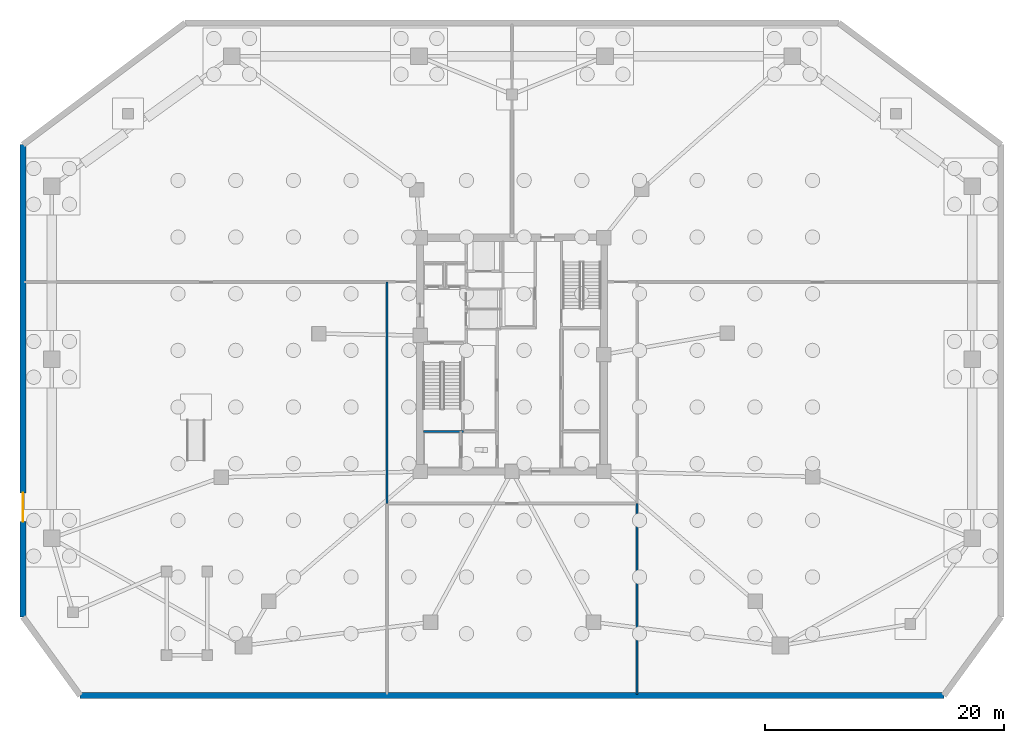
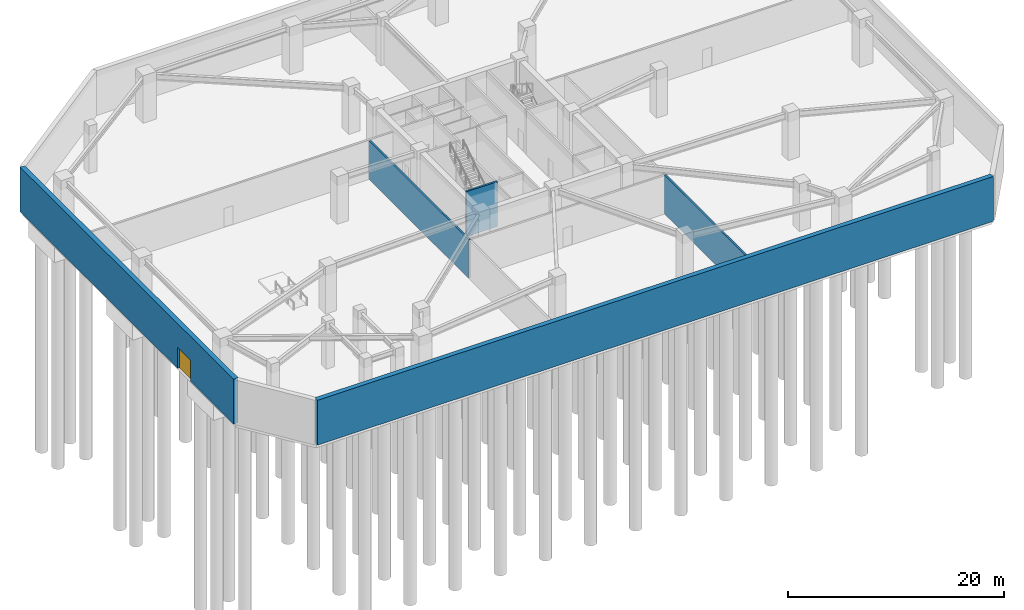
# One storey, part 3 of 12: 5 walls, 1 door, 1 opening.
"""IFC4 building model written with IfcOpenShell, lengths in metres."""

from ifc_helpers import new_model, si_unit, direction, frame, frame_2d, origin, place, context, subcontext, project, spatial, rectangle, extrude, material, layer, layer_set, type_object, element, fill, save


model = new_model("IFC4")

# Units and contexts
model_context = context("Model", 3, precision=1e-05, world=origin(), true_north=direction((0.0, 1.0)))
body_context = subcontext(model_context, "Body", "Model", "MODEL_VIEW")
ifc_project = project(units=[si_unit("LENGTHUNIT", "METRE"), si_unit("AREAUNIT", "SQUARE_METRE"), si_unit("VOLUMEUNIT", "CUBIC_METRE"), si_unit("PLANEANGLEUNIT", "RADIAN"), si_unit("MASSUNIT", "GRAM", prefix="KILO")], contexts=[model_context])

# Site, building, storey
site_placement = place(None, origin())
site = spatial("IfcSite", under=ifc_project, at=site_placement, CompositionType="ELEMENT")
building_placement = place(site_placement, origin())
building = spatial("IfcBuilding", under=site, at=building_placement, Name="Savorim Split Tower", CompositionType="ELEMENT")
storey_placement = place(building_placement, frame((0.0, 0.0, -5.39990234375)))
storey = spatial("IfcBuildingStorey", under=building, at=storey_placement, Name="B01", CompositionType="ELEMENT", Elevation=-5.39990234375)

# Wall
ifc_material_1 = material(Name="Concrete C50/60", Category="concrete")
ifc_layer_1 = layer(ifc_material_1, 0.5)
ifc_layer_set_1 = layer_set([ifc_layer_1], Name="WAL-EXT-RET500")
wall_type_1 = type_object("IfcWallType", Name="WAL-EXT-RET500", PredefinedType="USERDEFINED", material=ifc_layer_set_1)
wall_1_placement = place(storey_placement, frame((36.199951171875, -28.199951171875, 0.0), z_axis=(0.0, 0.0, 1.0), x_axis=(-1.0, 0.0, 0.0)))
element("IfcWall", 1, at=wall_1_placement, inside=storey, type_object=wall_type_1, Name="B01 Perimeter Basement Retaining Wall 1", ObjectType="RETAININGWALL", PredefinedType="USERDEFINED", context=body_context, shape_type="SweptSolid", body=[
    extrude(rectangle(XDim=72.39990234375, YDim=0.5, at=frame_2d((36.199951171875, 0.0))), origin(), (0.0, 0.0, 1.0), 5.079833984375),
])

# Wall, opening, door
wall_2_placement = place(storey_placement, frame((-41.0, -21.60009765625, 0.0), z_axis=(0.0, 0.0, 1.0), x_axis=(0.0, 1.0, 0.0)))
wall_2 = element("IfcWall", 2, at=wall_2_placement, inside=storey, type_object=wall_type_1, Name="B01 Perimeter Basement Retaining Wall 7", ObjectType="RETAININGWALL", PredefinedType="USERDEFINED", context=body_context, shape_type="SweptSolid", body=[
    extrude(rectangle(XDim=39.60009765625, YDim=0.5, at=frame_2d((19.800048828125, 0.0))), origin(), (0.0, 0.0, 1.0), 5.079833984375),
])
opening_placement = place(wall_2_placement, frame((8.0, 0.0, 0.0)))
opening = element("IfcOpeningElement", 3, at=opening_placement, cuts=wall_2, Name="Opening GT-01", PredefinedType="OPENING", context=body_context, shape_type="SweptSolid", body=[
    extrude(rectangle(XDim=2.39990234375, YDim=2.39990234375, at=frame_2d((1.199951171875, 1.199951171875))), frame((0.0, 0.260009765625, 0.0), z_axis=(0.0, -1.0, 0.0), x_axis=(1.0, 0.0, 0.0)), (0.0, 0.0, 1.0), 0.52001953125),
])
ifc_material_2 = material(Name="Charcoal Anodised Aluminium", Category="aluminium")
door_type = type_object("IfcDoorType", Name="DOR-GAT-2400", OperationType="NOTDEFINED", PredefinedType="GATE", material=ifc_material_2)
door_placement = place(opening_placement, origin())
door = element("IfcDoor", 4, at=door_placement, inside=storey, type_object=door_type, Name="DOR-B01-BGATE - B01 Bicycle Hub Ramp Arrival Gate", OperationType="DOUBLE_DOOR_SINGLE_SWING", OverallHeight=2.39990234375, OverallWidth=2.39990234375, PredefinedType="GATE", context=body_context, shape_type="SweptSolid", body=[
    extrude(rectangle(XDim=2.39990234375, YDim=2.39990234375, at=frame_2d((1.199951171875, 1.199951171875))), frame((0.0, 0.02490234375, 0.0), z_axis=(0.0, -1.0, 0.0), x_axis=(1.0, 0.0, 0.0)), (0.0, 0.0, 1.0), 0.050048828125),
])
fill(opening, door)

# Walls
ifc_layer_2 = layer(ifc_material_1, 0.199951171875)
ifc_layer_set_2 = layer_set([ifc_layer_2], Name="WAL-INT-RC200")
wall_type_2 = type_object("IfcWallType", Name="WAL-INT-RC200", PredefinedType="SOLIDWALL", material=ifc_layer_set_2)
wall_3_placement = place(storey_placement, frame((-7.39990234375, -6.050048828125, 0.0), z_axis=(0.0, 0.0, 1.0), x_axis=(1.0, 0.0, 0.0)))
element("IfcWall", 5, at=wall_3_placement, inside=storey, type_object=wall_type_2, Name="B01 Structural Shaft Wall W-B01-KSEP-W", PredefinedType="SOLIDWALL", context=body_context, shape_type="SweptSolid", body=[
    extrude(rectangle(XDim=3.349853515625, YDim=0.199951171875, at=frame_2d((1.6748046875, 0.0))), origin(), (0.0, 0.0, 1.0), 5.079833984375),
])
wall_4_placement = place(storey_placement, frame((-10.47998046875, -12.080078125, 0.0), z_axis=(0.0, 0.0, 1.0), x_axis=(0.0, 1.0, 0.0)))
element("IfcWall", 6, at=wall_4_placement, inside=storey, type_object=wall_type_2, Name="B01 Partition W-B01-CW", PredefinedType="SOLIDWALL", context=body_context, shape_type="SweptSolid", body=[
    extrude(rectangle(XDim=18.56005859375, YDim=0.199951171875, at=frame_2d((9.280029296875, 0.0))), origin(), (0.0, 0.0, 1.0), 4.35498046875),
])
wall_5_placement = place(storey_placement, frame((10.47998046875, -28.1201171875, 0.0), z_axis=(0.0, 0.0, 1.0), x_axis=(0.0, 1.0, 0.0)))
element("IfcWall", 7, at=wall_5_placement, inside=storey, type_object=wall_type_2, Name="B01 Partition W-B01-PSE", PredefinedType="SOLIDWALL", context=body_context, shape_type="SweptSolid", body=[
    extrude(rectangle(XDim=16.0400390625, YDim=0.199951171875, at=frame_2d((8.02001953125, 0.0))), origin(), (0.0, 0.0, 1.0), 4.35498046875),
])

save(model, "model.ifc")
